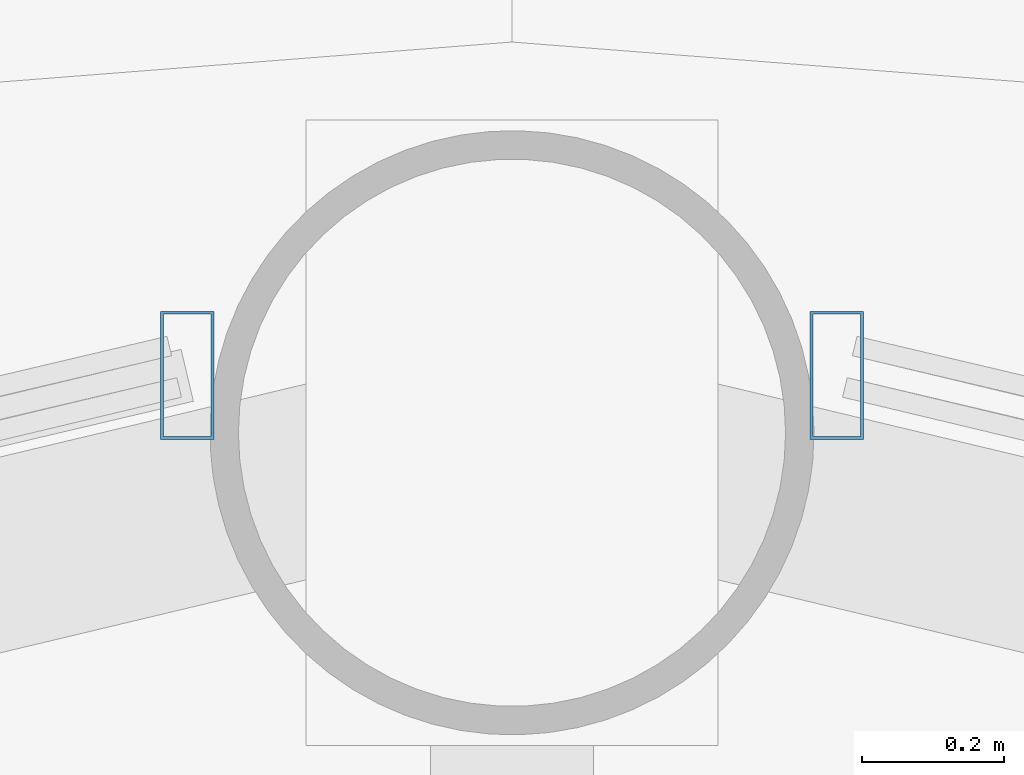
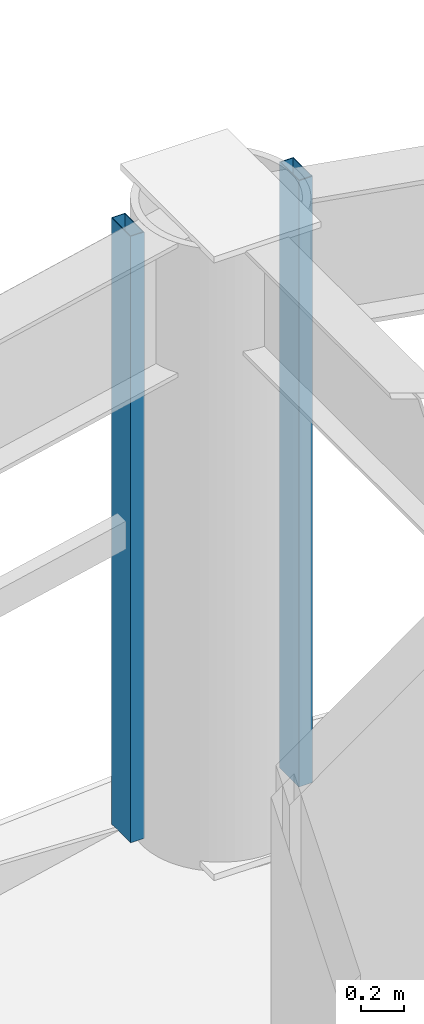
# One storey, part 19 of 32: 2 members, 2 elements without a shape of their own.
"""IFC4 building model written with IfcOpenShell, lengths in metres."""

from ifc_helpers import new_model, si_unit, direction, frame, origin, origin_2d, place, context, subcontext, project, spatial, hollow_rectangle, extrude, material, layer, layer_set, material_profile, profile_set, type_object, element, aggregate, save


model = new_model("IFC4")

# Units and contexts
model_context = context("Model", 3, precision=1e-05, world=origin(), true_north=direction((0.0, 1.0)))
body_context = subcontext(model_context, "Body", "Model", "MODEL_VIEW")
ifc_project = project(units=[si_unit("LENGTHUNIT", "METRE"), si_unit("AREAUNIT", "SQUARE_METRE"), si_unit("VOLUMEUNIT", "CUBIC_METRE"), si_unit("PLANEANGLEUNIT", "RADIAN"), si_unit("MASSUNIT", "GRAM", prefix="KILO")], contexts=[model_context])

# Site, building, storey
site_placement = place(None, origin())
site = spatial("IfcSite", under=ifc_project, at=site_placement, CompositionType="ELEMENT")
building_placement = place(site_placement, origin())
building = spatial("IfcBuilding", under=site, at=building_placement, Name="Vantalir Tower", CompositionType="ELEMENT")
storey_placement = place(building_placement, frame((0.0, 0.0, 45.75)))
storey = spatial("IfcBuildingStorey", under=building, at=storey_placement, Name="L10", CompositionType="ELEMENT", Elevation=45.75)

# Curtain wall, member
ifc_material_1 = material(Name="Champagne-silver PVDF aluminium and double-silver Low-E glass", Category="aluminium")
ifc_layer = layer(ifc_material_1, 0.18994140625)
ifc_layer_set = layer_set([ifc_layer], Name="Champagne-silver PVDF aluminium and double-silver Low-E glass")
curtain_wall_type = type_object("IfcCurtainWallType", Name="CW-DIAMOND-Z1", PredefinedType="USERDEFINED", material=ifc_layer_set)
curtain_wall_1_placement = place(storey_placement, origin())
curtain_wall_1 = element("IfcCurtainWall", 1, at=curtain_wall_1_placement, inside=storey, type_object=curtain_wall_type, Name="L10 Quilted Pyramid-Diamond Curtain Wall S03", ObjectType="UNITISED CURTAIN WALL", PredefinedType="USERDEFINED")
ifc_material_2 = material(Name="Champagne-silver PVDF aluminium 6063-T6", Category="aluminium")
ifc_material_profile = material_profile(ifc_material_2, hollow_rectangle(XDim=0.074951171875, YDim=0.179931640625, WallThickness=0.00390625, at=origin_2d()), Name="Champagne-silver PVDF aluminium 6063-T6")
ifc_profile_set = profile_set([ifc_material_profile], Name="Champagne-silver PVDF aluminium 6063-T6")
member_type = type_object("IfcMemberType", Name="CWM-180x75", PredefinedType="MULLION", material=ifc_profile_set)
member_1_placement = place(storey_placement, frame((31.95703125, 48.806884765625, 0.044921875), z_axis=(0.0, 0.0, 1.0), x_axis=(1.0, 0.0, 0.0)))
member_1 = element("IfcMember", 2, at=member_1_placement, type_object=member_type, Name="CW-L10-S03 Mullion 2", PredefinedType="MULLION", context=body_context, shape_type="SweptSolid", body=[
    extrude(hollow_rectangle(XDim=0.074951171875, YDim=0.179931640625, WallThickness=0.00390625, at=origin_2d()), origin(), (0.0, 0.0, 1.0), 3.47998046875),
])
aggregate(curtain_wall_1, [member_1])

curtain_wall_2_placement = place(storey_placement, origin())
curtain_wall_2 = element("IfcCurtainWall", 3, at=curtain_wall_2_placement, inside=storey, type_object=curtain_wall_type, Name="L10 Quilted Pyramid-Diamond Curtain Wall S04", ObjectType="UNITISED CURTAIN WALL", PredefinedType="USERDEFINED")
member_2_placement = place(storey_placement, frame((31.04296875, 48.806884765625, 0.044921875), z_axis=(0.0, 0.0, 1.0), x_axis=(1.0, 0.0, 0.0)))
member_2 = element("IfcMember", 4, at=member_2_placement, type_object=member_type, Name="CW-L10-S04 Mullion 1", PredefinedType="MULLION", context=body_context, shape_type="SweptSolid", body=[
    extrude(hollow_rectangle(XDim=0.074951171875, YDim=0.179931640625, WallThickness=0.00390625, at=origin_2d()), origin(), (0.0, 0.0, 1.0), 3.47998046875),
])
aggregate(curtain_wall_2, [member_2])

save(model, "model.ifc")
